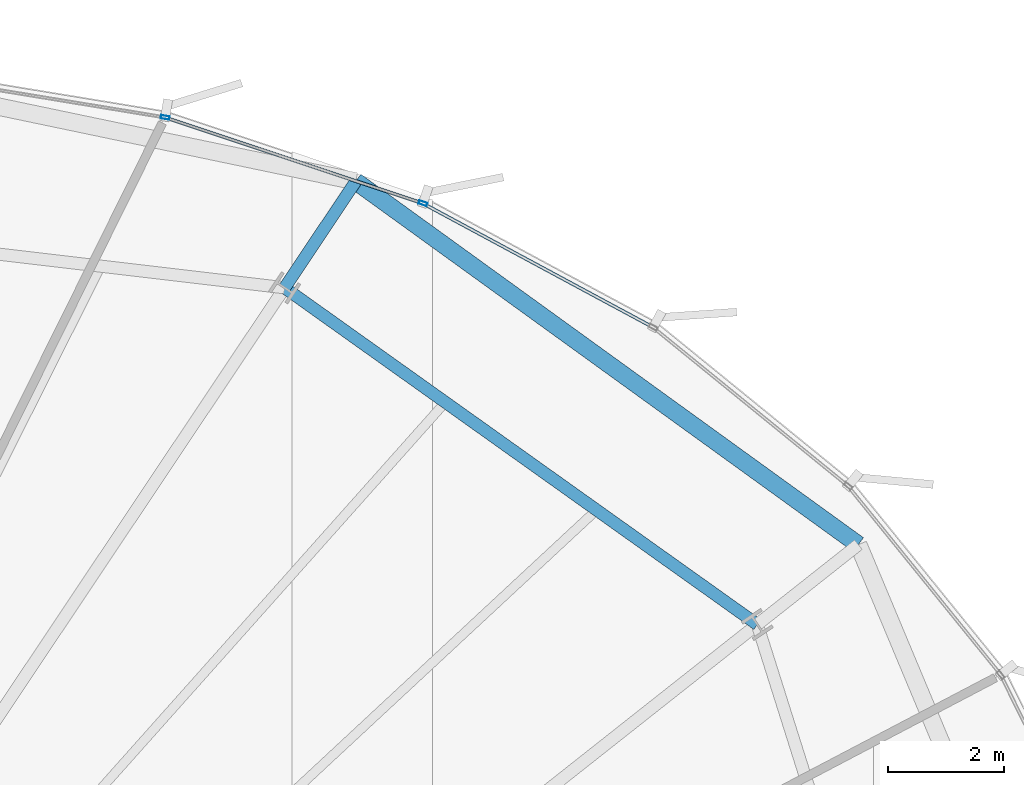
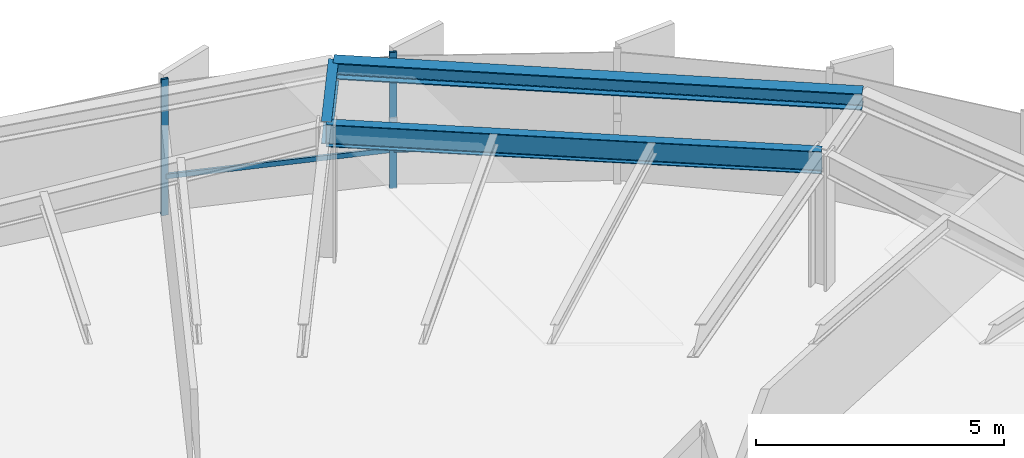
# One storey, part 23 of 33: 4 members, 3 beams, 1 element without a shape of its own.
"""IFC4 building model written with IfcOpenShell, lengths in metres."""

from ifc_helpers import new_model, si_unit, direction, frame, origin, origin_2d, place, context, subcontext, project, spatial, hollow_rectangle, i_section, extrude, source, transform, mapped, material, layer, layer_set, material_profile, profile_set, type_object, element, aggregate, save


model = new_model("IFC4")

# Units and contexts
model_context = context("Model", 3, precision=1e-05, world=origin(), true_north=direction((0.0, 1.0)))
body_context = subcontext(model_context, "Body", "Model", "MODEL_VIEW")
ifc_project = project(units=[si_unit("LENGTHUNIT", "METRE"), si_unit("AREAUNIT", "SQUARE_METRE"), si_unit("VOLUMEUNIT", "CUBIC_METRE"), si_unit("PLANEANGLEUNIT", "RADIAN"), si_unit("MASSUNIT", "GRAM", prefix="KILO"), si_unit("THERMODYNAMICTEMPERATUREUNIT", "KELVIN")], contexts=[model_context])

# Site, building, storey
site_placement = place(None, origin())
site = spatial("IfcSite", under=ifc_project, at=site_placement, CompositionType="ELEMENT")
building_placement = place(site_placement, origin())
building = spatial("IfcBuilding", under=site, at=building_placement, Name="Kethvar Cultural Tower", CompositionType="ELEMENT")
storey_placement = place(building_placement, frame((0.0, 0.0, 114.39990234375)))
storey = spatial("IfcBuildingStorey", under=building, at=storey_placement, Name="L28", CompositionType="ELEMENT", Elevation=114.39990234375)

# Beams
ifc_material_1 = material(Name="Steel S355J2", Category="steel")
ifc_material_profile_1 = material_profile(ifc_material_1, i_section(OverallWidth=0.2099609375, OverallDepth=0.550048828125, WebThickness=0.010986328125, FlangeThickness=0.01708984375, FilletRadius=0.02392578125, at=origin_2d()), Name="Steel S355J2 — IPE550")
ifc_profile_set_1 = profile_set([ifc_material_profile_1], Name="Steel S355J2 — IPE550")
beam_type_1 = type_object("IfcBeamType", Name="BM-IPE550", PredefinedType="BEAM", material=ifc_profile_set_1)
shared_shape_1 = source(origin(), body_context, "Body", "SweptSolid", [
    extrude(i_section(OverallWidth=0.2099609375, OverallDepth=0.550048828125, WebThickness=0.010986328125, FlangeThickness=0.01708984375, FilletRadius=0.02392578125, at=origin_2d()), origin(), (0.0, 0.0, 1.0), 10.0234375),
])
beam_1_placement = place(storey_placement, frame((68.568603515625, 42.34521484375, 3.072998046875), z_axis=(-0.814470106239, 0.580205520521, 0.0), x_axis=(-0.580205520521, -0.814470106239, 0.0)))
element("IfcBeam", 1, at=beam_1_placement, inside=storey, type_object=beam_type_1, Name="L28 Column Ring Tie Beam CR-02", PredefinedType="BEAM", context=body_context, shape_type="MappedRepresentation", body=[
    mapped(shared_shape_1, transform((0.0, 0.0, 0.0), scale=1.0)),
])
shared_shape_2 = source(origin(), body_context, "Body", "SweptSolid", [
    extrude(i_section(OverallWidth=0.2099609375, OverallDepth=0.550048828125, WebThickness=0.010986328125, FlangeThickness=0.01708984375, FilletRadius=0.02392578125, at=origin_2d()), origin(), (0.0, 0.0, 1.0), 2.211181640625),
])
beam_2_placement = place(storey_placement, frame((60.40478515625, 48.160888671875, 3.072998046875), z_axis=(0.555566163001, 0.831472331788, 0.0), x_axis=(-0.831472331788, 0.555566163001, 0.0)))
element("IfcBeam", 2, at=beam_2_placement, inside=storey, type_object=beam_type_1, Name="L28 Perimeter Cantilever Beam RC-03", PredefinedType="BEAM", context=body_context, shape_type="MappedRepresentation", body=[
    mapped(shared_shape_2, transform((0.0, 0.0, 0.0), scale=1.0)),
])
ifc_material_profile_2 = material_profile(ifc_material_1, i_section(OverallWidth=0.300048828125, OverallDepth=0.39990234375, WebThickness=0.013427734375, FlangeThickness=0.02392578125, FilletRadius=0.027099609375, at=origin_2d()), Name="Steel S355J2 — HEB400")
ifc_profile_set_2 = profile_set([ifc_material_profile_2], Name="Steel S355J2 — HEB400")
beam_type_2 = type_object("IfcBeamType", Name="BM-SP400", PredefinedType="SPANDREL", material=ifc_profile_set_2)
shared_shape_3 = source(origin(), body_context, "Body", "SweptSolid", [
    extrude(i_section(OverallWidth=0.300048828125, OverallDepth=0.39990234375, WebThickness=0.013427734375, FlangeThickness=0.02392578125, FilletRadius=0.027099609375, at=origin_2d()), origin(), (0.0, 0.0, 1.0), 10.711181640625),
])
beam_3_placement = place(storey_placement, frame((70.3134765625, 43.723876953125, 3.148193359375), z_axis=(-0.810385821573, 0.585896595138, 0.0), x_axis=(-0.585896595138, -0.810385821573, 0.0)))
element("IfcBeam", 3, at=beam_3_placement, inside=storey, type_object=beam_type_2, Name="L28 Perimeter Spandrel Beam SP-02", PredefinedType="SPANDREL", context=body_context, shape_type="MappedRepresentation", body=[
    mapped(shared_shape_3, transform((0.0, 0.0, 0.0), scale=1.0)),
])

# Curtain wall, members
ifc_material_2 = material(Name="Aluminium 6063-T6", Category="aluminium")
ifc_layer = layer(ifc_material_2, 0.179931640625, Name="Aluminium 6063-T6", Category="aluminium")
ifc_layer_set = layer_set([ifc_layer], Name="Aluminium 6063-T6 (180 mm)")
curtain_wall_type = type_object("IfcCurtainWallType", Name="CW-SYS-03-Z2", PredefinedType="NOTDEFINED", material=ifc_layer_set)
curtain_wall_placement = place(storey_placement, origin())
curtain_wall = element("IfcCurtainWall", 4, at=curtain_wall_placement, inside=storey, type_object=curtain_wall_type, Name="L28 Curtain Wall Run 01", PredefinedType="NOTDEFINED")
ifc_material_profile_3 = material_profile(ifc_material_2, hollow_rectangle(XDim=0.06005859375, YDim=0.14990234375, WallThickness=0.0048828125, at=origin_2d()), Name="Aluminium 6063-T6 — RHS150x60x5")
ifc_profile_set_3 = profile_set([ifc_material_profile_3], Name="Aluminium 6063-T6 — RHS150x60x5")
member_type_1 = type_object("IfcMemberType", Name="CW-SYS-03-Z2-MUL", PredefinedType="MULLION", material=ifc_profile_set_3)
shared_shape_4 = source(origin(), body_context, "Body", "SweptSolid", [
    extrude(hollow_rectangle(XDim=0.06005859375, YDim=0.14990234375, WallThickness=0.0048828125, at=origin_2d()), origin(), (0.0, 0.0, 1.0), 3.35009765625),
])
member_1_placement = place(storey_placement, frame((62.793701171875, 49.618896484375, 0.0), z_axis=(0.0, 0.0, 1.0), x_axis=(-0.315963678787, -0.948771286289, 0.0)))
member_1 = element("IfcMember", 5, at=member_1_placement, type_object=member_type_1, Name="CW-L28-R01 Mullion 5", PredefinedType="MULLION", context=body_context, shape_type="MappedRepresentation", body=[
    mapped(shared_shape_4, transform((0.0, 0.0, 0.0), scale=1.0)),
])
member_2_placement = place(storey_placement, frame((58.34130859375, 51.10302734375, 0.0), z_axis=(0.0, 0.0, 1.0), x_axis=(-0.16213773775, -0.986768135885, 0.0)))
member_2 = element("IfcMember", 6, at=member_2_placement, type_object=member_type_1, Name="CW-L28-R01 Mullion 6", PredefinedType="MULLION", context=body_context, shape_type="MappedRepresentation", body=[
    mapped(shared_shape_4, transform((0.0, 0.0, 0.0), scale=1.0)),
])
ifc_material_profile_4 = material_profile(ifc_material_2, hollow_rectangle(XDim=0.054931640625, YDim=0.1201171875, WallThickness=0.00390625, at=origin_2d()), Name="Aluminium 6063-T6 — RHS120x55x4")
ifc_profile_set_4 = profile_set([ifc_material_profile_4], Name="Aluminium 6063-T6 — RHS120x55x4")
member_type_2 = type_object("IfcMemberType", Name="CW-SYS-03-Z2-TRN", PredefinedType="USERDEFINED", material=ifc_profile_set_4)
shared_shape_5 = source(origin(), body_context, "Body", "SweptSolid", [
    extrude(hollow_rectangle(XDim=0.054931640625, YDim=0.1201171875, WallThickness=0.00390625, at=origin_2d()), origin(), (0.0, 0.0, 1.0), 4.45166015625),
])
member_3_placement = place(storey_placement, frame((66.73388671875, 47.496826171875, 0.9501953125), z_axis=(-0.880610181491, 0.473841437883, 0.0), x_axis=(-0.473841437883, -0.880610181491, 0.0)))
member_3 = element("IfcMember", 7, at=member_3_placement, type_object=member_type_2, Name="CW-L28-R01 Transom 4", ObjectType="TRANSOM", PredefinedType="USERDEFINED", context=body_context, shape_type="MappedRepresentation", body=[
    mapped(shared_shape_5, transform((0.0, 0.0, 0.0), scale=1.0)),
])
shared_shape_6 = source(origin(), body_context, "Body", "SweptSolid", [
    extrude(hollow_rectangle(XDim=0.054931640625, YDim=0.1201171875, WallThickness=0.00390625, at=origin_2d()), origin(), (0.0, 0.0, 1.0), 4.625244140625),
])
member_4_placement = place(storey_placement, frame((62.752685546875, 49.63232421875, 0.9501953125), z_axis=(-0.948767721118, 0.315974384033, 0.0), x_axis=(-0.315974384033, -0.948767721118, 0.0)))
member_4 = element("IfcMember", 8, at=member_4_placement, type_object=member_type_2, Name="CW-L28-R01 Transom 5", ObjectType="TRANSOM", PredefinedType="USERDEFINED", context=body_context, shape_type="MappedRepresentation", body=[
    mapped(shared_shape_6, transform((0.0, 0.0, 0.0), scale=1.0)),
])
aggregate(curtain_wall, [member_1, member_2, member_3, member_4])

save(model, "model.ifc")
